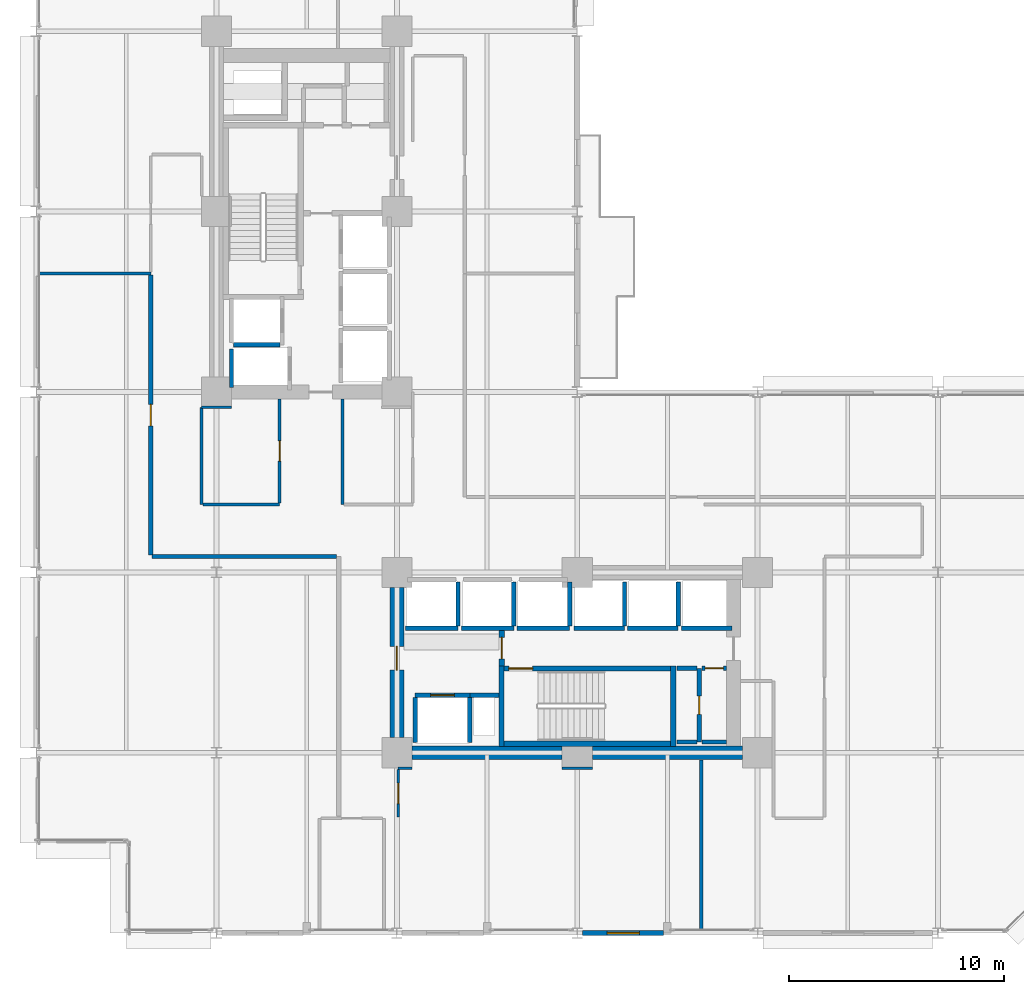
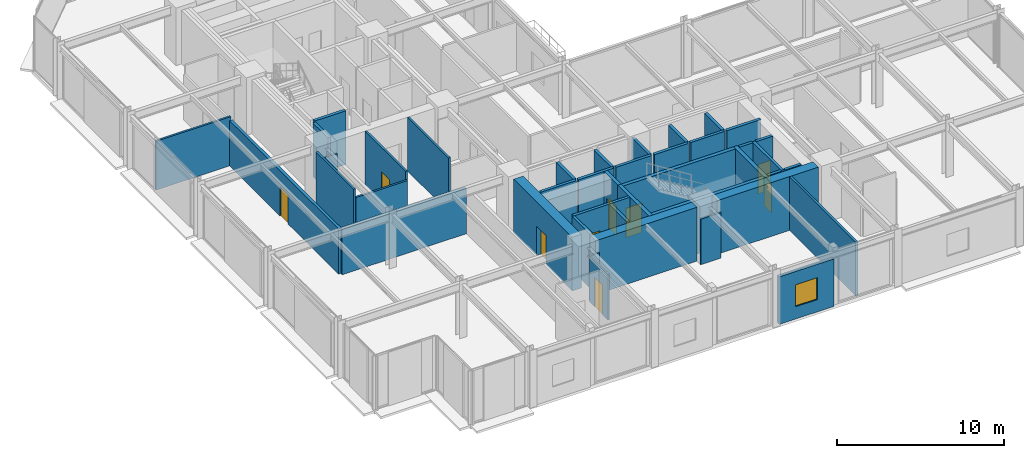
# One storey, part 20 of 25: 43 walls, 9 doors, 1 window, 10 openings.
"""IFC4 building model written with IfcOpenShell, lengths in metres."""

from ifc_helpers import new_model, si_unit, direction, frame, frame_2d, origin, place, context, subcontext, project, spatial, rectangle, extrude, material, layer, layer_set, type_object, element, fill, save


model = new_model("IFC4")

# Units and contexts
model_context = context("Model", 3, precision=1e-05, world=origin(), true_north=direction((0.0, 1.0)))
body_context = subcontext(model_context, "Body", "Model", "MODEL_VIEW")
ifc_project = project(units=[si_unit("LENGTHUNIT", "METRE"), si_unit("AREAUNIT", "SQUARE_METRE"), si_unit("VOLUMEUNIT", "CUBIC_METRE"), si_unit("PLANEANGLEUNIT", "RADIAN"), si_unit("MASSUNIT", "GRAM", prefix="KILO")], contexts=[model_context])

# Site, building, storey
site_placement = place(None, origin())
site = spatial("IfcSite", under=ifc_project, at=site_placement, CompositionType="ELEMENT")
building_placement = place(site_placement, origin())
building = spatial("IfcBuilding", under=site, at=building_placement, Name="Nerrivon Quay Data Exchange", CompositionType="ELEMENT")
storey_placement = place(building_placement, frame((0.0, 0.0, 54.199951171875)))
storey = spatial("IfcBuildingStorey", under=building, at=storey_placement, Name="L12", CompositionType="ELEMENT", Elevation=54.199951171875)

# Wall, opening, window
ifc_material_1 = material(Name="Architectural terracotta precast concrete N50 (50 MPa)", Category="masonry")
ifc_layer_1 = layer(ifc_material_1, 0.239990234375)
ifc_layer_set_1 = layer_set([ifc_layer_1], Name="Architectural terracotta precast concrete N50 (50 MPa)")
wall_type_1 = type_object("IfcWallType", Name="EW-PREC-240", PredefinedType="STANDARD", material=ifc_layer_set_1)
wall_1_placement = place(storey_placement, frame((29.22509765625, 0.0, 0.0), z_axis=(0.0, 0.0, 1.0), x_axis=(-1.0, 0.0, 0.0)))
wall_1 = element("IfcWall", 1, at=wall_1_placement, inside=storey, type_object=wall_type_1, Name="L12 Podium Precast Spandrel Wall 5", PredefinedType="STANDARD", context=body_context, shape_type="SweptSolid", body=[
    extrude(rectangle(XDim=3.775146484375, YDim=0.239990234375, at=frame_2d((1.8876953125, 0.0))), origin(), (0.0, 0.0, 1.0), 3.470947265625),
])
opening_1_placement = place(wall_1_placement, frame((1.137451171875, 0.0, 0.89990234375)))
opening_1 = element("IfcOpeningElement", 2, at=opening_1_placement, cuts=wall_1, Name="Opening WN4", PredefinedType="OPENING", context=body_context, shape_type="SweptSolid", body=[
    extrude(rectangle(XDim=1.5, YDim=1.60009765625, at=frame_2d((0.75, 0.800048828125))), frame((0.0, 0.1298828125, 0.0), z_axis=(0.0, -1.0, 0.0), x_axis=(1.0, 0.0, 0.0)), (0.0, 0.0, 1.0), 0.260009765625),
])
ifc_material_2 = material(Name="Double-glazed low-E solar control glass", Category="glass")
window_type = type_object("IfcWindowType", Name="WIN-W4-1500x1600", PartitioningType="SINGLE_PANEL", PredefinedType="WINDOW", material=ifc_material_2)
window_placement = place(opening_1_placement, origin())
window = element("IfcWindow", 3, at=window_placement, inside=storey, type_object=window_type, Name="L12 Solar Facade Window 5", OverallHeight=1.60009765625, OverallWidth=1.5, PartitioningType="SINGLE_PANEL", PredefinedType="WINDOW", context=body_context, shape_type="SweptSolid", body=[
    extrude(rectangle(XDim=1.5, YDim=1.60009765625, at=frame_2d((0.75, 0.800048828125))), frame((0.0, 0.030029296875, 0.0), z_axis=(0.0, -1.0, 0.0), x_axis=(1.0, 0.0, 0.0)), (0.0, 0.0, 1.0), 0.06005859375),
])
fill(opening_1, window)

# Walls
ifc_material_3 = material(Name="Concrete N80 (80 MPa)", Category="concrete")
ifc_layer_2 = layer(ifc_material_3, 0.64990234375)
ifc_layer_set_2 = layer_set([ifc_layer_2], Name="Concrete N80 (80 MPa)")
wall_type_2 = type_object("IfcWallType", Name="WALL-CW-850", PredefinedType="SHEAR", material=ifc_layer_set_2)
for number, where, z_axis, x_axis, name in (
    (4, (17.5, 8.39990234375, 0.0), (0.0, 0.0, 1.0), (1.0, 0.0, 0.0), "L12 East Split-Core Shear Wall ECW-S1"),
    (5, (25.89990234375, 8.39990234375, 0.0), (0.0, 0.0, 1.0), (1.0, 0.0, 0.0), "L12 East Split-Core Shear Wall ECW-S2"),
):
    element("IfcWall", number, at=place(storey_placement, frame(where, z_axis=z_axis, x_axis=x_axis)), inside=storey, type_object=wall_type_2, Name=name, PredefinedType="SHEAR", context=body_context, shape_type="SweptSolid", body=[
        extrude(rectangle(XDim=7.0, YDim=0.64990234375, at=frame_2d((3.5, 0.0))), origin(), (0.0, 0.0, 1.0), 3.925048828125),
    ])

# Wall, opening, door
wall_2_placement = place(storey_placement, frame((16.800048828125, 9.10009765625, 0.0), z_axis=(0.0, 0.0, 1.0), x_axis=(0.0, 1.0, 0.0)))
wall_2 = element("IfcWall", 6, at=wall_2_placement, inside=storey, type_object=wall_type_2, Name="L12 East Split-Core Shear Wall ECW-W1", PredefinedType="SHEAR", context=body_context, shape_type="SweptSolid", body=[
    extrude(rectangle(XDim=7.0, YDim=0.64990234375, at=frame_2d((3.5, 0.0))), origin(), (0.0, 0.0, 1.0), 3.925048828125),
])
opening_2_placement = place(wall_2_placement, frame((3.14990234375, 0.0, 0.0)))
opening_2 = element("IfcOpeningElement", 7, at=opening_2_placement, cuts=wall_2, Name="Opening FD-120", PredefinedType="OPENING", context=body_context, shape_type="SweptSolid", body=[
    extrude(rectangle(XDim=1.10009765625, YDim=2.14990234375, at=frame_2d((0.550048828125, 1.074951171875))), frame((0.0, 0.3349609375, 0.0), z_axis=(0.0, -1.0, 0.0), x_axis=(1.0, 0.0, 0.0)), (0.0, 0.0, 1.0), 0.669921875),
])
ifc_material_4 = material(Name="Powder-coated galvanized steel sheet", Category="steel")
door_type_1 = type_object("IfcDoorType", Name="DR-FD120-1100", OperationType="NOTDEFINED", PredefinedType="DOOR", material=ifc_material_4)
door_1_placement = place(opening_2_placement, origin())
door_1 = element("IfcDoor", 8, at=door_1_placement, inside=storey, type_object=door_type_1, Name="L12 East Core Lobby Fire Door", OperationType="SINGLE_SWING_LEFT", OverallHeight=2.14990234375, OverallWidth=1.10009765625, PredefinedType="DOOR", context=body_context, shape_type="SweptSolid", body=[
    extrude(rectangle(XDim=1.10009765625, YDim=2.14990234375, at=frame_2d((0.550048828125, 1.074951171875))), frame((0.0, 0.02490234375, 0.0), z_axis=(0.0, -1.0, 0.0), x_axis=(1.0, 0.0, 0.0)), (0.0, 0.0, 1.0), 0.050048828125),
])
fill(opening_2, door_1)

# Walls
ifc_material_5 = material(Name="Gypsum plasterboard on cold-formed framing", Category="gypsum")
ifc_layer_3 = layer(ifc_material_5, 0.199951171875)
ifc_layer_set_3 = layer_set([ifc_layer_3], Name="Gypsum plasterboard on cold-formed framing")
wall_type_3 = type_object("IfcWallType", Name="WALL-FW-200", PredefinedType="PARTITIONING", material=ifc_layer_set_3)
wall_3_placement = place(storey_placement, frame((20.199951171875, 11.080078125, 0.0), z_axis=(0.0, 0.0, 1.0), x_axis=(1.0, 0.0, 0.0)))
element("IfcWall", 9, at=wall_3_placement, inside=storey, type_object=wall_type_3, Name="L12 East Core MEP Riser Shaft Wall N", PredefinedType="PARTITIONING", context=body_context, shape_type="SweptSolid", body=[
    extrude(rectangle(XDim=1.35009765625, YDim=0.199951171875, at=frame_2d((0.675048828125, 0.0))), origin(), (0.0, 0.0, 1.0), 3.925048828125),
])
wall_4_placement = place(storey_placement, frame((9.199951171875, 27.39990234375, 0.0), z_axis=(0.0, 0.0, 1.0), x_axis=(1.0, 0.0, 0.0)))
element("IfcWall", 10, at=wall_4_placement, inside=storey, type_object=wall_type_3, Name="L12 Lift Shaft Wall FFL-1 SOUTH", PredefinedType="PARTITIONING", context=body_context, shape_type="SweptSolid", body=[
    extrude(rectangle(XDim=2.150146484375, YDim=0.199951171875, at=frame_2d((1.0751953125, 0.0))), origin(), (0.0, 0.0, 1.0), 3.925048828125),
])
wall_5_placement = place(storey_placement, frame((9.10009765625, 25.39990234375, 0.0), z_axis=(0.0, 0.0, 1.0), x_axis=(0.0, 1.0, 0.0)))
element("IfcWall", 11, at=wall_5_placement, inside=storey, type_object=wall_type_3, Name="L12 Lift Shaft Wall SVL-1 WEST", PredefinedType="PARTITIONING", context=body_context, shape_type="SweptSolid", body=[
    extrude(rectangle(XDim=1.800048828125, YDim=0.199951171875, at=frame_2d((0.89990234375, 0.0))), origin(), (0.0, 0.0, 1.0), 3.925048828125),
])

# Wall, opening, door
wall_6_placement = place(storey_placement, frame((17.64990234375, 11.080078125, 0.0), z_axis=(0.0, 0.0, 1.0), x_axis=(1.0, 0.0, 0.0)))
wall_6 = element("IfcWall", 12, at=wall_6_placement, inside=storey, type_object=wall_type_3, Name="L12 Lift Front Wall FFL-2", PredefinedType="PARTITIONING", context=body_context, shape_type="SweptSolid", body=[
    extrude(rectangle(XDim=2.550048828125, YDim=0.199951171875, at=frame_2d((1.27490234375, 0.0))), origin(), (0.0, 0.0, 1.0), 3.925048828125),
])
opening_3_placement = place(wall_6_placement, frame((0.72509765625, 0.0, 0.0)))
opening_3 = element("IfcOpeningElement", 13, at=opening_3_placement, cuts=wall_6, Name="Opening LD-120", PredefinedType="OPENING", context=body_context, shape_type="SweptSolid", body=[
    extrude(rectangle(XDim=1.10009765625, YDim=2.199951171875, at=frame_2d((0.550048828125, 1.10009765625))), frame((0.0, 0.10986328125, 0.0), z_axis=(0.0, -1.0, 0.0), x_axis=(1.0, 0.0, 0.0)), (0.0, 0.0, 1.0), 0.219970703125),
])
door_type_2 = type_object("IfcDoorType", Name="DR-LIFT-LD120", OperationType="DOUBLE_DOOR_SLIDING", PredefinedType="DOOR", material=ifc_material_4)
door_2_placement = place(opening_3_placement, origin())
door_2 = element("IfcDoor", 14, at=door_2_placement, inside=storey, type_object=door_type_2, Name="L12 Lift Landing Sliding Door FFL-2", OperationType="DOUBLE_DOOR_SLIDING", OverallHeight=2.199951171875, OverallWidth=1.10009765625, PredefinedType="DOOR", context=body_context, shape_type="SweptSolid", body=[
    extrude(rectangle(XDim=1.10009765625, YDim=2.199951171875, at=frame_2d((0.550048828125, 1.10009765625))), frame((0.0, 0.02490234375, 0.0), z_axis=(0.0, -1.0, 0.0), x_axis=(1.0, 0.0, 0.0)), (0.0, 0.0, 1.0), 0.050048828125),
])
fill(opening_3, door_2)

# Walls
for number, where, z_axis, x_axis, name in (
    (15, (20.199951171875, 8.8798828125, 0.0), (0.0, 0.0, 1.0), (0.0, 1.0, 0.0), "L12 Lift Shaft Wall FFL-2 EAST"),
    (16, (17.64990234375, 8.8798828125, 0.0), (0.0, 0.0, 1.0), (0.0, 1.0, 0.0), "L12 Lift Shaft Wall FFL-2 WEST"),
):
    element("IfcWall", number, at=place(storey_placement, frame(where, z_axis=z_axis, x_axis=x_axis)), inside=storey, type_object=wall_type_3, Name=name, PredefinedType="PARTITIONING", context=body_context, shape_type="SweptSolid", body=[
        extrude(rectangle(XDim=2.10009765625, YDim=0.199951171875, at=frame_2d((1.050048828125, 0.0))), origin(), (0.0, 0.0, 1.0), 3.925048828125),
    ])
wall_7_placement = place(storey_placement, frame((17.199951171875, 14.199951171875, 0.0), z_axis=(0.0, 0.0, 1.0), x_axis=(1.0, 0.0, 0.0)))
element("IfcWall", 17, at=wall_7_placement, inside=storey, type_object=wall_type_3, Name="L12 Lift Front Wall PL4", PredefinedType="PARTITIONING", context=body_context, shape_type="SweptSolid", body=[
    extrude(rectangle(XDim=2.449951171875, YDim=0.199951171875, at=frame_2d((1.22509765625, 0.0))), origin(), (0.0, 0.0, 1.0), 3.925048828125),
])
wall_8_placement = place(storey_placement, frame((19.64990234375, 14.300048828125, 0.0), z_axis=(0.0, 0.0, 1.0), x_axis=(0.0, 1.0, 0.0)))
element("IfcWall", 18, at=wall_8_placement, inside=storey, type_object=wall_type_3, Name="L12 Lift Shaft Wall PL4 EAST", PredefinedType="PARTITIONING", context=body_context, shape_type="SweptSolid", body=[
    extrude(rectangle(XDim=2.050048828125, YDim=0.199951171875, at=frame_2d((1.02490234375, 0.0))), origin(), (0.0, 0.0, 1.0), 3.925048828125),
])
wall_9_placement = place(storey_placement, frame((19.800048828125, 14.199951171875, 0.0), z_axis=(0.0, 0.0, 1.0), x_axis=(1.0, 0.0, 0.0)))
element("IfcWall", 19, at=wall_9_placement, inside=storey, type_object=wall_type_3, Name="L12 Lift Front Wall PL5", PredefinedType="PARTITIONING", context=body_context, shape_type="SweptSolid", body=[
    extrude(rectangle(XDim=2.449951171875, YDim=0.199951171875, at=frame_2d((1.22509765625, 0.0))), origin(), (0.0, 0.0, 1.0), 3.925048828125),
])
wall_10_placement = place(storey_placement, frame((22.25, 14.300048828125, 0.0), z_axis=(0.0, 0.0, 1.0), x_axis=(0.0, 1.0, 0.0)))
element("IfcWall", 20, at=wall_10_placement, inside=storey, type_object=wall_type_3, Name="L12 Lift Shaft Wall PL5 EAST", PredefinedType="PARTITIONING", context=body_context, shape_type="SweptSolid", body=[
    extrude(rectangle(XDim=2.050048828125, YDim=0.199951171875, at=frame_2d((1.02490234375, 0.0))), origin(), (0.0, 0.0, 1.0), 3.925048828125),
])
wall_11_placement = place(storey_placement, frame((22.39990234375, 14.199951171875, 0.0), z_axis=(0.0, 0.0, 1.0), x_axis=(1.0, 0.0, 0.0)))
element("IfcWall", 21, at=wall_11_placement, inside=storey, type_object=wall_type_3, Name="L12 Lift Front Wall PL6", PredefinedType="PARTITIONING", context=body_context, shape_type="SweptSolid", body=[
    extrude(rectangle(XDim=2.4501953125, YDim=0.199951171875, at=frame_2d((1.22509765625, 0.0))), origin(), (0.0, 0.0, 1.0), 3.925048828125),
])
wall_12_placement = place(storey_placement, frame((24.85009765625, 14.300048828125, 0.0), z_axis=(0.0, 0.0, 1.0), x_axis=(0.0, 1.0, 0.0)))
element("IfcWall", 22, at=wall_12_placement, inside=storey, type_object=wall_type_3, Name="L12 Lift Shaft Wall PL6 EAST", PredefinedType="PARTITIONING", context=body_context, shape_type="SweptSolid", body=[
    extrude(rectangle(XDim=2.050048828125, YDim=0.199951171875, at=frame_2d((1.02490234375, 0.0))), origin(), (0.0, 0.0, 1.0), 3.925048828125),
])
wall_13_placement = place(storey_placement, frame((25.050048828125, 14.199951171875, 0.0), z_axis=(0.0, 0.0, 1.0), x_axis=(1.0, 0.0, 0.0)))
element("IfcWall", 23, at=wall_13_placement, inside=storey, type_object=wall_type_3, Name="L12 Lift Front Wall PL7", PredefinedType="PARTITIONING", context=body_context, shape_type="SweptSolid", body=[
    extrude(rectangle(XDim=2.349853515625, YDim=0.199951171875, at=frame_2d((1.1748046875, 0.0))), origin(), (0.0, 0.0, 1.0), 3.925048828125),
])
wall_14_placement = place(storey_placement, frame((27.39990234375, 14.300048828125, 0.0), z_axis=(0.0, 0.0, 1.0), x_axis=(0.0, 1.0, 0.0)))
element("IfcWall", 24, at=wall_14_placement, inside=storey, type_object=wall_type_3, Name="L12 Lift Shaft Wall PL7 EAST", PredefinedType="PARTITIONING", context=body_context, shape_type="SweptSolid", body=[
    extrude(rectangle(XDim=2.050048828125, YDim=0.199951171875, at=frame_2d((1.02490234375, 0.0))), origin(), (0.0, 0.0, 1.0), 3.925048828125),
])
wall_15_placement = place(storey_placement, frame((27.550048828125, 14.199951171875, 0.0), z_axis=(0.0, 0.0, 1.0), x_axis=(1.0, 0.0, 0.0)))
element("IfcWall", 25, at=wall_15_placement, inside=storey, type_object=wall_type_3, Name="L12 Lift Front Wall PL8", PredefinedType="PARTITIONING", context=body_context, shape_type="SweptSolid", body=[
    extrude(rectangle(XDim=2.349853515625, YDim=0.199951171875, at=frame_2d((1.1748046875, 0.0))), origin(), (0.0, 0.0, 1.0), 3.925048828125),
])
wall_16_placement = place(storey_placement, frame((29.89990234375, 14.300048828125, 0.0), z_axis=(0.0, 0.0, 1.0), x_axis=(0.0, 1.0, 0.0)))
element("IfcWall", 26, at=wall_16_placement, inside=storey, type_object=wall_type_3, Name="L12 Lift Shaft Wall PL8 EAST", PredefinedType="PARTITIONING", context=body_context, shape_type="SweptSolid", body=[
    extrude(rectangle(XDim=2.050048828125, YDim=0.199951171875, at=frame_2d((1.02490234375, 0.0))), origin(), (0.0, 0.0, 1.0), 3.925048828125),
])
wall_17_placement = place(storey_placement, frame((30.050048828125, 14.199951171875, 0.0), z_axis=(0.0, 0.0, 1.0), x_axis=(1.0, 0.0, 0.0)))
element("IfcWall", 27, at=wall_17_placement, inside=storey, type_object=wall_type_3, Name="L12 Lift Front Wall PL9", PredefinedType="PARTITIONING", context=body_context, shape_type="SweptSolid", body=[
    extrude(rectangle(XDim=2.349853515625, YDim=0.199951171875, at=frame_2d((1.1748046875, 0.0))), origin(), (0.0, 0.0, 1.0), 3.925048828125),
])

# Wall, opening, door
wall_18_placement = place(storey_placement, frame((30.8798828125, 8.89990234375, 0.0), z_axis=(0.0, 0.0, 1.0), x_axis=(0.0, 1.0, 0.0)))
wall_18 = element("IfcWall", 28, at=wall_18_placement, inside=storey, type_object=wall_type_3, Name="L12 Partition East Electrical Closet", PredefinedType="PARTITIONING", context=body_context, shape_type="SweptSolid", body=[
    extrude(rectangle(XDim=3.43017578125, YDim=0.199951171875, at=frame_2d((1.715087890625, 0.0))), origin(), (0.0, 0.0, 1.0), 3.925048828125),
])
opening_4_placement = place(wall_18_placement, frame((1.2900390625, 0.0, 0.0)))
opening_4 = element("IfcOpeningElement", 29, at=opening_4_placement, cuts=wall_18, Name="Opening FD-60S", PredefinedType="OPENING", context=body_context, shape_type="SweptSolid", body=[
    extrude(rectangle(XDim=0.85009765625, YDim=2.14990234375, at=frame_2d((0.425048828125, 1.074951171875))), frame((0.0, 0.10986328125, 0.0), z_axis=(0.0, -1.0, 0.0), x_axis=(1.0, 0.0, 0.0)), (0.0, 0.0, 1.0), 0.219970703125),
])
ifc_material_6 = material(Name="Engineered hardwood timber", Category="wood")
door_type_3 = type_object("IfcDoorType", Name="DR-FD60-850", OperationType="NOTDEFINED", PredefinedType="DOOR", material=ifc_material_6)
door_3_placement = place(opening_4_placement, origin())
door_3 = element("IfcDoor", 30, at=door_3_placement, inside=storey, type_object=door_type_3, Name="L12 Door East Electrical Closet", OperationType="SINGLE_SWING_RIGHT", OverallHeight=2.14990234375, OverallWidth=0.85009765625, PredefinedType="DOOR", context=body_context, shape_type="SweptSolid", body=[
    extrude(rectangle(XDim=0.85009765625, YDim=2.14990234375, at=frame_2d((0.425048828125, 1.074951171875))), frame((0.0, 0.02490234375, 0.0), z_axis=(0.0, -1.0, 0.0), x_axis=(1.0, 0.0, 0.0)), (0.0, 0.0, 1.0), 0.050048828125),
])
fill(opening_4, door_3)

# Walls
for number, where, z_axis, x_axis, name in (
    (31, (30.77587890625, 12.330078125, 0.0), (0.0, 0.0, 1.0), (-1.0, 0.0, 0.0), "L12 Partition East Electrical Closet"),
    (32, (29.85009765625, 8.89990234375, 0.0), (0.0, 0.0, 1.0), (1.0, 0.0, 0.0), "L12 Partition East Electrical Closet"),
):
    element("IfcWall", number, at=place(storey_placement, frame(where, z_axis=z_axis, x_axis=x_axis)), inside=storey, type_object=wall_type_3, Name=name, PredefinedType="PARTITIONING", context=body_context, shape_type="SweptSolid", body=[
        extrude(rectangle(XDim=0.92578125, YDim=0.199951171875, at=frame_2d((0.462890625, 0.0))), origin(), (0.0, 0.0, 1.0), 3.925048828125),
    ])

# Wall, opening, door
wall_19_placement = place(storey_placement, frame((32.14599609375, 12.330078125, 0.0), z_axis=(0.0, 0.0, 1.0), x_axis=(-1.0, 0.0, 0.0)))
wall_19 = element("IfcWall", 33, at=wall_19_placement, inside=storey, type_object=wall_type_3, Name="L12 Partition East Cleaners Store", PredefinedType="PARTITIONING", context=body_context, shape_type="SweptSolid", body=[
    extrude(rectangle(XDim=1.1259765625, YDim=0.199951171875, at=frame_2d((0.56298828125, 0.0))), origin(), (0.0, 0.0, 1.0), 3.925048828125),
])
opening_5_placement = place(wall_19_placement, frame((0.137939453125, 0.0, 0.0)))
opening_5 = element("IfcOpeningElement", 34, at=opening_5_placement, cuts=wall_19, Name="Opening FD-60S", PredefinedType="OPENING", context=body_context, shape_type="SweptSolid", body=[
    extrude(rectangle(XDim=0.85009765625, YDim=2.14990234375, at=frame_2d((0.425048828125, 1.074951171875))), frame((0.0, 0.10986328125, 0.0), z_axis=(0.0, -1.0, 0.0), x_axis=(1.0, 0.0, 0.0)), (0.0, 0.0, 1.0), 0.219970703125),
])
door_4_placement = place(opening_5_placement, origin())
door_4 = element("IfcDoor", 35, at=door_4_placement, inside=storey, type_object=door_type_3, Name="L12 Door East Cleaners Store", OperationType="SINGLE_SWING_LEFT", OverallHeight=2.14990234375, OverallWidth=0.85009765625, PredefinedType="DOOR", context=body_context, shape_type="SweptSolid", body=[
    extrude(rectangle(XDim=0.85009765625, YDim=2.14990234375, at=frame_2d((0.425048828125, 1.074951171875))), frame((0.0, 0.02490234375, 0.0), z_axis=(0.0, -1.0, 0.0), x_axis=(1.0, 0.0, 0.0)), (0.0, 0.0, 1.0), 0.050048828125),
])
fill(opening_5, door_4)

# Wall
wall_20_placement = place(storey_placement, frame((31.02001953125, 8.89990234375, 0.0), z_axis=(0.0, 0.0, 1.0), x_axis=(1.0, 0.0, 0.0)))
element("IfcWall", 36, at=wall_20_placement, inside=storey, type_object=wall_type_3, Name="L12 Partition East Cleaners Store", PredefinedType="PARTITIONING", context=body_context, shape_type="SweptSolid", body=[
    extrude(rectangle(XDim=1.1259765625, YDim=0.199951171875, at=frame_2d((0.56298828125, 0.0))), origin(), (0.0, 0.0, 1.0), 3.925048828125),
])

# Wall, opening, door
wall_21_placement = place(storey_placement, frame((5.340087890625, 17.60009765625, 0.0), z_axis=(0.0, 0.0, 1.0), x_axis=(0.0, 1.0, 0.0)))
wall_21 = element("IfcWall", 37, at=wall_21_placement, inside=storey, type_object=wall_type_3, Name="L12 Partition Colocation Data Workspace 1", PredefinedType="PARTITIONING", context=body_context, shape_type="SweptSolid", body=[
    extrude(rectangle(XDim=13.05029296875, YDim=0.199951171875, at=frame_2d((6.525146484375, 0.0))), origin(), (0.0, 0.0, 1.0), 3.31298828125),
])
opening_6_placement = place(wall_21_placement, frame((6.025146484375, 0.0, 0.0)))
opening_6 = element("IfcOpeningElement", 38, at=opening_6_placement, cuts=wall_21, Name="Opening FD-60", PredefinedType="OPENING", context=body_context, shape_type="SweptSolid", body=[
    extrude(rectangle(XDim=1.0, YDim=2.14990234375, at=frame_2d((0.5, 1.074951171875))), frame((0.0, 0.10986328125, 0.0), z_axis=(0.0, -1.0, 0.0), x_axis=(1.0, 0.0, 0.0)), (0.0, 0.0, 1.0), 0.219970703125),
])
door_type_4 = type_object("IfcDoorType", Name="DR-FD60-1000", OperationType="NOTDEFINED", PredefinedType="DOOR", material=ifc_material_6)
door_5_placement = place(opening_6_placement, origin())
door_5 = element("IfcDoor", 39, at=door_5_placement, inside=storey, type_object=door_type_4, Name="L12 Door Colocation Data Workspace 1", OperationType="SINGLE_SWING_LEFT", OverallHeight=2.14990234375, OverallWidth=1.0, PredefinedType="DOOR", context=body_context, shape_type="SweptSolid", body=[
    extrude(rectangle(XDim=1.0, YDim=2.14990234375, at=frame_2d((0.5, 1.074951171875))), frame((0.0, 0.02490234375, 0.0), z_axis=(0.0, -1.0, 0.0), x_axis=(1.0, 0.0, 0.0)), (0.0, 0.0, 1.0), 0.050048828125),
])
fill(opening_6, door_5)

# Walls
wall_22_placement = place(storey_placement, frame((13.986083984375, 17.5400390625, 0.0), z_axis=(0.0, 0.0, 1.0), x_axis=(-1.0, 0.0, 0.0)))
element("IfcWall", 40, at=wall_22_placement, inside=storey, type_object=wall_type_3, Name="L12 Partition Colocation Data Workspace 1", PredefinedType="PARTITIONING", context=body_context, shape_type="SweptSolid", body=[
    extrude(rectangle(XDim=8.586181640625, YDim=0.199951171875, at=frame_2d((4.29296875, 0.0))), origin(), (0.0, 0.0, 1.0), 3.322998046875),
])
ifc_layer_4 = layer(ifc_material_5, 0.1201171875)
ifc_layer_set_4 = layer_set([ifc_layer_4], Name="Gypsum plasterboard on cold-formed framing")
wall_type_4 = type_object("IfcWallType", Name="WALL-PT-120", PredefinedType="PARTITIONING", material=ifc_layer_set_4)
wall_23_placement = place(storey_placement, frame((9.105712890625, 24.48095703125, 0.0), z_axis=(0.0, 0.0, 1.0), x_axis=(-0.999999755233, -0.000699667487, 0.0)))
element("IfcWall", 41, at=wall_23_placement, inside=storey, type_object=wall_type_4, Name="L12 Partition Staff Pantry", PredefinedType="PARTITIONING", context=body_context, shape_type="SweptSolid", body=[
    extrude(rectangle(XDim=1.395751953125, YDim=0.1201171875, at=frame_2d((0.69775390625, 0.0))), origin(), (0.0, 0.0, 1.0), 3.322998046875),
])
wall_24_placement = place(storey_placement, frame((25.90576171875, 7.680908203125, 0.0), z_axis=(0.0, 0.0, 1.0), x_axis=(-0.999999758706, -0.000694685487, 0.0)))
element("IfcWall", 42, at=wall_24_placement, inside=storey, type_object=wall_type_4, Name="L12 Partition Quiet Reading Room", PredefinedType="PARTITIONING", context=body_context, shape_type="SweptSolid", body=[
    extrude(rectangle(XDim=1.40576171875, YDim=0.1201171875, at=frame_2d((0.702880859375, 0.0))), origin(), (0.0, 0.0, 1.0), 3.322998046875),
])
wall_25_placement = place(storey_placement, frame((17.5, 7.679931640625, 0.0), z_axis=(0.0, 0.0, 1.0), x_axis=(-1.0, 0.0, 0.0)))
element("IfcWall", 43, at=wall_25_placement, inside=storey, type_object=wall_type_4, Name="L12 Partition Quiet Reading Room", PredefinedType="PARTITIONING", context=body_context, shape_type="SweptSolid", body=[
    extrude(rectangle(XDim=0.639892578125, YDim=0.1201171875, at=frame_2d((0.31982421875, 0.0))), origin(), (0.0, 0.0, 1.0), 3.322998046875),
])

# Wall, opening, door
wall_26_placement = place(storey_placement, frame((16.860107421875, 7.615966796875, 0.0), z_axis=(0.0, 0.0, 1.0), x_axis=(0.0, -1.0, 0.0)))
wall_26 = element("IfcWall", 44, at=wall_26_placement, inside=storey, type_object=wall_type_4, Name="L12 Partition Quiet Reading Room", PredefinedType="PARTITIONING", context=body_context, shape_type="SweptSolid", body=[
    extrude(rectangle(XDim=2.216064453125, YDim=0.1201171875, at=frame_2d((1.10791015625, 0.0))), origin(), (0.0, 0.0, 1.0), 3.322998046875),
])
opening_7_placement = place(wall_26_placement, frame((0.633056640625, 0.0, 0.0)))
opening_7 = element("IfcOpeningElement", 45, at=opening_7_placement, cuts=wall_26, Name="Opening D-01", PredefinedType="OPENING", context=body_context, shape_type="SweptSolid", body=[
    extrude(rectangle(XDim=0.949951171875, YDim=2.14990234375, at=frame_2d((0.47509765625, 1.074951171875))), frame((0.0, 0.070068359375, 0.0), z_axis=(0.0, -1.0, 0.0), x_axis=(1.0, 0.0, 0.0)), (0.0, 0.0, 1.0), 0.14013671875),
])
door_type_5 = type_object("IfcDoorType", Name="DR-INT-950", OperationType="NOTDEFINED", PredefinedType="DOOR", material=ifc_material_6)
door_6_placement = place(opening_7_placement, origin())
door_6 = element("IfcDoor", 46, at=door_6_placement, inside=storey, type_object=door_type_5, Name="L12 Door Quiet Reading Room", OperationType="SINGLE_SWING_LEFT", OverallHeight=2.14990234375, OverallWidth=0.949951171875, PredefinedType="DOOR", context=body_context, shape_type="SweptSolid", body=[
    extrude(rectangle(XDim=0.949951171875, YDim=2.14990234375, at=frame_2d((0.47509765625, 1.074951171875))), frame((0.0, 0.02490234375, 0.0), z_axis=(0.0, -1.0, 0.0), x_axis=(1.0, 0.0, 0.0)), (0.0, 0.0, 1.0), 0.050048828125),
])
fill(opening_7, door_6)

# Walls
ifc_layer_5 = layer(ifc_material_5, 0.135009765625)
ifc_layer_set_5 = layer_set([ifc_layer_5], Name="Gypsum plasterboard on cold-formed framing")
wall_type_5 = type_object("IfcWallType", Name="WALL-PT-135", PredefinedType="PARTITIONING", material=ifc_layer_set_5)
wall_27_placement = place(storey_placement, frame((14.260009765625, 24.87109375, 0.0), z_axis=(0.0, 0.0, 1.0), x_axis=(0.0, -1.0, 0.0)))
element("IfcWall", 47, at=wall_27_placement, inside=storey, type_object=wall_type_5, Name="L12 Partition Public Washrooms", PredefinedType="PARTITIONING", context=body_context, shape_type="SweptSolid", body=[
    extrude(rectangle(XDim=4.9111328125, YDim=0.135009765625, at=frame_2d((2.45556640625, 0.0))), origin(), (0.0, 0.0, 1.0), 3.925048828125),
])
wall_28_placement = place(storey_placement, frame((7.7099609375, 24.47998046875, 0.0), z_axis=(0.0, 0.0, 1.0), x_axis=(0.0, -1.0, 0.0)))
element("IfcWall", 48, at=wall_28_placement, inside=storey, type_object=wall_type_5, Name="L12 Partition Staff Pantry", PredefinedType="PARTITIONING", context=body_context, shape_type="SweptSolid", body=[
    extrude(rectangle(XDim=4.52001953125, YDim=0.135009765625, at=frame_2d((2.260009765625, 0.0))), origin(), (0.0, 0.0, 1.0), 3.925048828125),
])
wall_29_placement = place(storey_placement, frame((7.781494140625, 19.9599609375, 0.0), z_axis=(0.0, 0.0, 1.0), x_axis=(1.0, 0.0, 0.0)))
element("IfcWall", 49, at=wall_29_placement, inside=storey, type_object=wall_type_5, Name="L12 Partition Staff Pantry", PredefinedType="PARTITIONING", context=body_context, shape_type="SweptSolid", body=[
    extrude(rectangle(XDim=3.55859375, YDim=0.135009765625, at=frame_2d((1.779296875, 0.0))), origin(), (0.0, 0.0, 1.0), 3.322998046875),
])

# Wall, opening, door
wall_30_placement = place(storey_placement, frame((11.340087890625, 20.031494140625, 0.0), z_axis=(0.0, 0.0, 1.0), x_axis=(0.0, 1.0, 0.0)))
wall_30 = element("IfcWall", 50, at=wall_30_placement, inside=storey, type_object=wall_type_5, Name="L12 Partition Staff Pantry", PredefinedType="PARTITIONING", context=body_context, shape_type="SweptSolid", body=[
    extrude(rectangle(XDim=4.839599609375, YDim=0.135009765625, at=frame_2d((2.419921875, 0.0))), origin(), (0.0, 0.0, 1.0), 3.925048828125),
])
opening_8_placement = place(wall_30_placement, frame((1.944580078125, 0.0, 0.0)))
opening_8 = element("IfcOpeningElement", 51, at=opening_8_placement, cuts=wall_30, Name="Opening D-01", PredefinedType="OPENING", context=body_context, shape_type="SweptSolid", body=[
    extrude(rectangle(XDim=0.949951171875, YDim=2.14990234375, at=frame_2d((0.47509765625, 1.074951171875))), frame((0.0, 0.077392578125, 0.0), z_axis=(0.0, -1.0, 0.0), x_axis=(1.0, 0.0, 0.0)), (0.0, 0.0, 1.0), 0.155029296875),
])
door_7_placement = place(opening_8_placement, origin())
door_7 = element("IfcDoor", 52, at=door_7_placement, inside=storey, type_object=door_type_5, Name="L12 Door Staff Pantry", OperationType="SINGLE_SWING_RIGHT", OverallHeight=2.14990234375, OverallWidth=0.949951171875, PredefinedType="DOOR", context=body_context, shape_type="SweptSolid", body=[
    extrude(rectangle(XDim=0.949951171875, YDim=2.14990234375, at=frame_2d((0.47509765625, 1.074951171875))), frame((0.0, 0.02490234375, 0.0), z_axis=(0.0, -1.0, 0.0), x_axis=(1.0, 0.0, 0.0)), (0.0, 0.0, 1.0), 0.050048828125),
])
fill(opening_8, door_7)

# Walls
wall_31_placement = place(storey_placement, frame((0.1689453125, 30.721923828125, 0.0), z_axis=(0.0, 0.0, 1.0), x_axis=(1.0, 0.0, 0.0)))
element("IfcWall", 53, at=wall_31_placement, inside=storey, type_object=wall_type_5, Name="L12 Partition Cloud Compute Workspace 1", PredefinedType="PARTITIONING", context=body_context, shape_type="SweptSolid", body=[
    extrude(rectangle(XDim=5.171142578125, YDim=0.135009765625, at=frame_2d((2.58544921875, 0.0))), origin(), (0.0, 0.0, 1.0), 3.566162109375),
])
ifc_layer_6 = layer(ifc_material_5, 0.14990234375)
ifc_layer_set_6 = layer_set([ifc_layer_6], Name="Gypsum plasterboard on cold-formed framing")
wall_type_6 = type_object("IfcWallType", Name="WALL-PT-150", PredefinedType="PARTITIONING", material=ifc_layer_set_6)
wall_32_placement = place(storey_placement, frame((30.974609375, 0.1689453125, 0.0), z_axis=(0.0, 0.0, 1.0), x_axis=(0.0, 1.0, 0.0)))
element("IfcWall", 54, at=wall_32_placement, inside=storey, type_object=wall_type_6, Name="L12 Partition Quiet Reading Room", PredefinedType="PARTITIONING", context=body_context, shape_type="SweptSolid", body=[
    extrude(rectangle(XDim=7.902099609375, YDim=0.14990234375, at=frame_2d((3.951171875, 0.0))), origin(), (0.0, 0.0, 1.0), 3.925048828125),
])
ifc_material_7 = material(Name="Concrete N50 (50 MPa)", Category="concrete")
ifc_layer_7 = layer(ifc_material_7, 0.25)
ifc_layer_set_7 = layer_set([ifc_layer_7], Name="Concrete N50 (50 MPa)")
wall_type_7 = type_object("IfcWallType", Name="WALL-SW-250", PredefinedType="SHEAR", material=ifc_layer_set_7)
for number, where, z_axis, x_axis, name in (
    (55, (21.675048828125, 8.699951171875, 0.0), (0.0, 0.0, 1.0), (0.0, 1.0, 0.0), "L12 ST02 Structural Stair Core Wall NEAR"),
    (56, (29.675048828125, 8.699951171875, 0.0), (0.0, 0.0, 1.0), (0.0, 1.0, 0.0), "L12 ST02 Structural Stair Core Wall FAR"),
):
    element("IfcWall", number, at=place(storey_placement, frame(where, z_axis=z_axis, x_axis=x_axis)), inside=storey, type_object=wall_type_7, Name=name, PredefinedType="SHEAR", context=body_context, shape_type="SweptSolid", body=[
        extrude(rectangle(XDim=3.75, YDim=0.25, at=frame_2d((1.875, 0.0))), origin(), (0.0, 0.0, 1.0), 3.925048828125),
    ])
wall_33_placement = place(storey_placement, frame((21.800048828125, 8.824951171875, 0.0), z_axis=(0.0, 0.0, 1.0), x_axis=(1.0, 0.0, 0.0)))
element("IfcWall", 57, at=wall_33_placement, inside=storey, type_object=wall_type_7, Name="L12 ST02 Structural Stair Core Wall LEFT", PredefinedType="SHEAR", context=body_context, shape_type="SweptSolid", body=[
    extrude(rectangle(XDim=7.75, YDim=0.25, at=frame_2d((3.875, 0.0))), origin(), (0.0, 0.0, 1.0), 3.925048828125),
])

# Wall, opening, door
wall_34_placement = place(storey_placement, frame((21.800048828125, 12.324951171875, 0.0), z_axis=(0.0, 0.0, 1.0), x_axis=(1.0, 0.0, 0.0)))
wall_34 = element("IfcWall", 58, at=wall_34_placement, inside=storey, type_object=wall_type_7, Name="L12 ST02 Structural Stair Core Wall RIGHT", PredefinedType="SHEAR", context=body_context, shape_type="SweptSolid", body=[
    extrude(rectangle(XDim=7.75, YDim=0.25, at=frame_2d((3.875, 0.0))), origin(), (0.0, 0.0, 1.0), 3.925048828125),
])
opening_9_placement = place(wall_34_placement, frame((0.219970703125, 0.0, 0.0)))
opening_9 = element("IfcOpeningElement", 59, at=opening_9_placement, cuts=wall_34, Name="Opening FD-120", PredefinedType="OPENING", context=body_context, shape_type="SweptSolid", body=[
    extrude(rectangle(XDim=1.10009765625, YDim=2.14990234375, at=frame_2d((0.550048828125, 1.074951171875))), frame((0.0, 0.135009765625, 0.0), z_axis=(0.0, -1.0, 0.0), x_axis=(1.0, 0.0, 0.0)), (0.0, 0.0, 1.0), 0.27001953125),
])
door_8_placement = place(opening_9_placement, origin())
door_8 = element("IfcDoor", 60, at=door_8_placement, inside=storey, type_object=door_type_1, Name="L12 Protected Stair Door ST02", OperationType="SINGLE_SWING_LEFT", OverallHeight=2.14990234375, OverallWidth=1.10009765625, PredefinedType="DOOR", context=body_context, shape_type="SweptSolid", body=[
    extrude(rectangle(XDim=1.10009765625, YDim=2.14990234375, at=frame_2d((0.550048828125, 1.074951171875))), frame((0.0, 0.02490234375, 0.0), z_axis=(0.0, -1.0, 0.0), x_axis=(1.0, 0.0, 0.0)), (0.0, 0.0, 1.0), 0.050048828125),
])
fill(opening_9, door_8)

wall_35_placement = place(storey_placement, frame((21.679931640625, 12.449951171875, 0.0), z_axis=(0.0, 0.0, 1.0), x_axis=(0.0, 1.0, 0.0)))
wall_35 = element("IfcWall", 61, at=wall_35_placement, inside=storey, type_object=wall_type_7, Name="L12 East Firefighting Lobby Wall", PredefinedType="SHEAR", context=body_context, shape_type="SweptSolid", body=[
    extrude(rectangle(XDim=1.650146484375, YDim=0.25, at=frame_2d((0.8251953125, 0.0))), origin(), (0.0, 0.0, 1.0), 3.925048828125),
])
opening_10_placement = place(wall_35_placement, frame((0.324951171875, 0.0, 0.0)))
opening_10 = element("IfcOpeningElement", 62, at=opening_10_placement, cuts=wall_35, Name="Opening FD-60", PredefinedType="OPENING", context=body_context, shape_type="SweptSolid", body=[
    extrude(rectangle(XDim=1.0, YDim=2.14990234375, at=frame_2d((0.5, 1.074951171875))), frame((0.0, 0.135009765625, 0.0), z_axis=(0.0, -1.0, 0.0), x_axis=(1.0, 0.0, 0.0)), (0.0, 0.0, 1.0), 0.27001953125),
])
door_9_placement = place(opening_10_placement, origin())
door_9 = element("IfcDoor", 63, at=door_9_placement, inside=storey, type_object=door_type_4, Name="L12 East Firefighting Lobby Fire Door", OperationType="SINGLE_SWING_LEFT", OverallHeight=2.14990234375, OverallWidth=1.0, PredefinedType="DOOR", context=body_context, shape_type="SweptSolid", body=[
    extrude(rectangle(XDim=1.0, YDim=2.14990234375, at=frame_2d((0.5, 1.074951171875))), frame((0.0, 0.02490234375, 0.0), z_axis=(0.0, -1.0, 0.0), x_axis=(1.0, 0.0, 0.0)), (0.0, 0.0, 1.0), 0.050048828125),
])
fill(opening_10, door_9)

save(model, "model.ifc")
